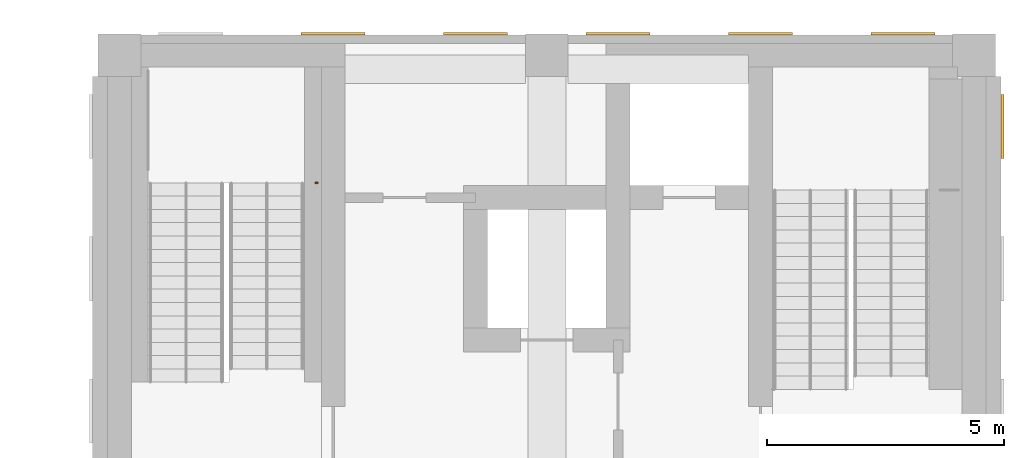
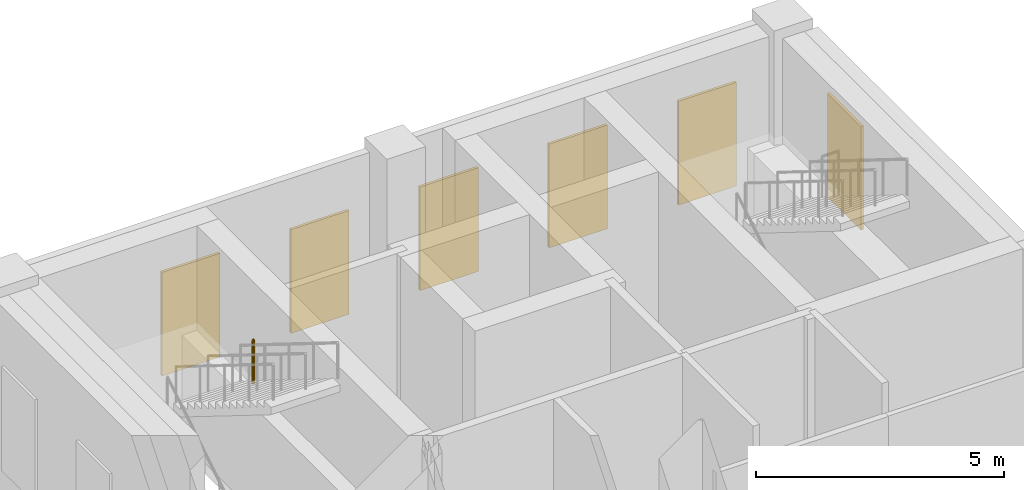
# One storey, part 31 of 33: 6 coverings, 1 railing.
"""IFC4 building model written with IfcOpenShell, lengths in metres."""

from ifc_helpers import new_model, si_unit, direction, frame, origin, origin_2d, place, context, subcontext, project, spatial, rectangle, circle, extrude, material, layer, layer_set, type_object, element, save


model = new_model("IFC4")

# Units and contexts
model_context = context("Model", 3, precision=1e-05, world=origin(), true_north=direction((0.0, 1.0)))
body_context = subcontext(model_context, "Body", "Model", "MODEL_VIEW")
ifc_project = project(units=[si_unit("LENGTHUNIT", "METRE"), si_unit("AREAUNIT", "SQUARE_METRE"), si_unit("VOLUMEUNIT", "CUBIC_METRE"), si_unit("PLANEANGLEUNIT", "RADIAN"), si_unit("MASSUNIT", "GRAM", prefix="KILO")], contexts=[model_context])

# Site, building, storey
site_placement = place(None, origin())
site = spatial("IfcSite", under=ifc_project, at=site_placement, CompositionType="ELEMENT")
building_placement = place(site_placement, origin())
building = spatial("IfcBuilding", under=site, at=building_placement, Name="Aurelan Courthouse", CompositionType="ELEMENT")
storey_placement = place(building_placement, frame((0.0, 0.0, 22.800048828125)))
storey = spatial("IfcBuildingStorey", under=building, at=storey_placement, Name="L04", CompositionType="ELEMENT", Elevation=22.800048828125)

# Coverings
ifc_material_1 = material(Name="Bronze sheet cladding")
ifc_layer = layer(ifc_material_1, 0.06005859375)
ifc_layer_set = layer_set([ifc_layer], Name="Bronze sheet cladding")
covering_type = type_object("IfcCoveringType", Name="Law Library blind bay 1350 x 2550", PredefinedType="CLADDING", material=ifc_layer_set)
for number, where, z_axis, x_axis, name in (
    (1, (76.5, 66.449951171875, 1.19970703125), (0.0, 0.0, 1.0), (1.0, 0.0, 0.0), "Blind bay BB-V3-L04-002"),
    (2, (79.5, 66.449951171875, 1.19970703125), (0.0, 0.0, 1.0), (1.0, 0.0, 0.0), "Blind bay BB-V3-L04-003"),
    (3, (82.5, 66.449951171875, 1.19970703125), (0.0, 0.0, 1.0), (1.0, 0.0, 0.0), "Blind bay BB-V3-L04-004"),
    (4, (85.5, 66.449951171875, 1.19970703125), (0.0, 0.0, 1.0), (1.0, 0.0, 0.0), "Blind bay BB-V3-L04-005"),
    (5, (88.5, 66.449951171875, 1.19970703125), (0.0, 0.0, 1.0), (1.0, 0.0, 0.0), "Blind bay BB-V3-L04-006"),
):
    element("IfcCovering", number, at=place(storey_placement, frame(where, z_axis=z_axis, x_axis=x_axis)), inside=storey, type_object=covering_type, Name=name, PredefinedType="CLADDING", context=body_context, shape_type="SweptSolid", body=[
        extrude(rectangle(XDim=1.35009765625, YDim=0.06005859375, at=origin_2d()), origin(), (0.0, 0.0, 1.0), 2.550048828125),
    ])
covering_placement = place(storey_placement, frame((90.60009765625, 64.5, 1.19970703125), z_axis=(0.0, 0.0, 1.0), x_axis=(1.0, 0.0, 0.0)))
element("IfcCovering", 6, at=covering_placement, inside=storey, type_object=covering_type, Name="Blind bay BB-V3-L04-009", PredefinedType="CLADDING", context=body_context, shape_type="SweptSolid", body=[
    extrude(rectangle(XDim=0.06005859375, YDim=1.35009765625, at=origin_2d()), origin(), (0.0, 0.0, 1.0), 2.550048828125),
])

# Railing
ifc_material_2 = material(Name="Steel S355", Category="steel")
railing_type = type_object("IfcRailingType", Name="Stair guard 1100", PredefinedType="GUARDRAIL", material=ifc_material_2)
railing_placement = place(storey_placement, frame((76.169921875, 63.31005859375, 2.787109375)))
element("IfcRailing", 7, at=railing_placement, inside=storey, type_object=railing_type, Name="Guard ST-3A-L04-GL2", PredefinedType="GUARDRAIL", context=body_context, shape_type="SweptSolid", body=[
    extrude(circle(Radius=0.02392578125, at=origin_2d()), frame((0.0, 0.0, 1.076171875), z_axis=(-1.0, 0.0, 0.0), x_axis=(0.0, -1.0, 0.0)), (0.0, 0.0, 1.0), 0.0400390625),
    extrude(circle(Radius=0.02099609375, at=origin_2d()), origin(), (0.0, 0.0, 1.0), 1.052001953125),
    extrude(circle(Radius=0.02099609375, at=origin_2d()), frame((-0.0400390625, 0.0, 0.0)), (0.0, 0.0, 1.0), 1.052001953125),
])

save(model, "model.ifc")
